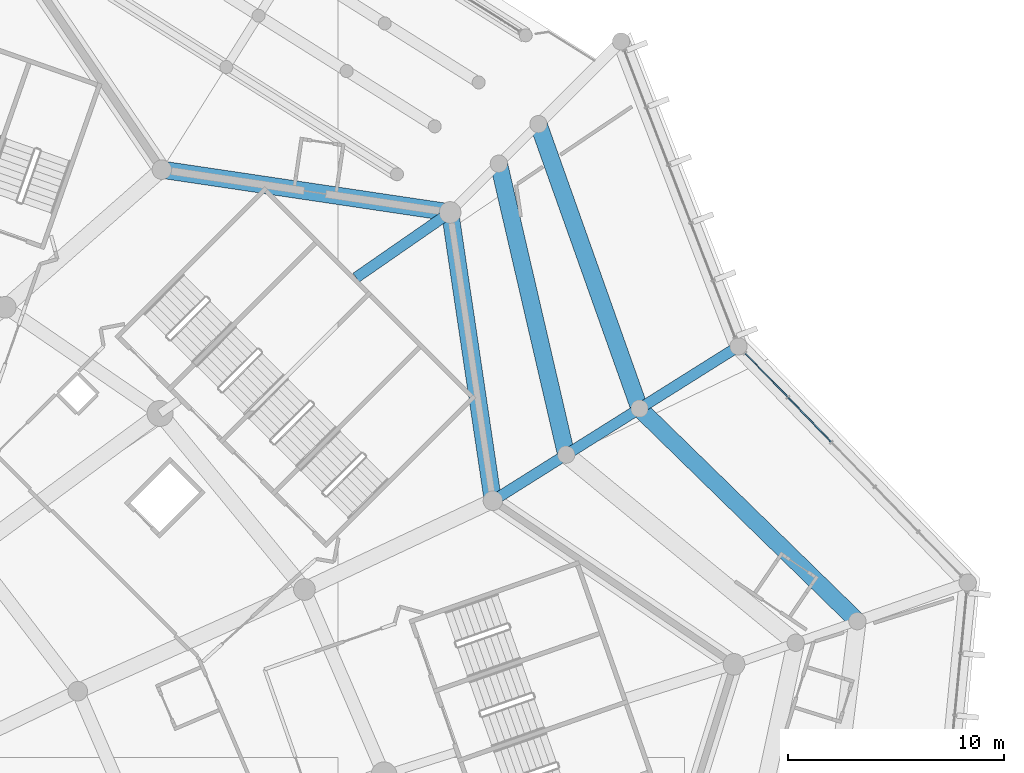
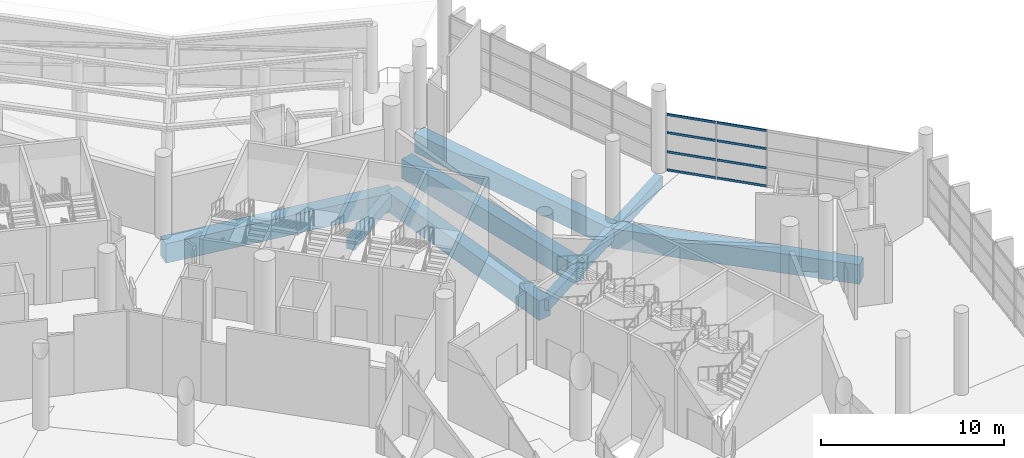
# One storey, part 110 of 271: 9 beams, 8 members, 1 element without a shape of its own.
"""IFC4 building model written with IfcOpenShell, lengths in metres."""

from ifc_helpers import new_model, si_unit, direction, frame, origin, origin_2d, place, context, subcontext, project, spatial, rectangle, extrude, material, layer, layer_set, material_profile, profile_set, type_object, element, aggregate, save


model = new_model("IFC4")

# Units and contexts
model_context = context("Model", 3, precision=1e-05, world=origin(), true_north=direction((0.0, 1.0)))
body_context = subcontext(model_context, "Body", "Model", "MODEL_VIEW")
ifc_project = project(units=[si_unit("LENGTHUNIT", "METRE"), si_unit("AREAUNIT", "SQUARE_METRE"), si_unit("VOLUMEUNIT", "CUBIC_METRE"), si_unit("PLANEANGLEUNIT", "RADIAN"), si_unit("MASSUNIT", "GRAM", prefix="KILO")], contexts=[model_context])

# Site, building, storey
site_placement = place(None, origin())
site = spatial("IfcSite", under=ifc_project, at=site_placement, CompositionType="ELEMENT")
building_placement = place(site_placement, origin())
building = spatial("IfcBuilding", under=site, at=building_placement, Name="Meseta Stadium", CompositionType="ELEMENT")
storey_placement = place(building_placement, frame((0.0, 0.0, 6.5)))
storey = spatial("IfcBuildingStorey", under=building, at=storey_placement, Name="L01", CompositionType="ELEMENT", Elevation=6.5)

# Beams
ifc_material_1 = material(Name="Concrete C40/50", Category="concrete")
ifc_material_profile_1 = material_profile(ifc_material_1, rectangle(XDim=0.5, YDim=0.75, at=origin_2d()), Name="RC 500x750")
ifc_profile_set_1 = profile_set([ifc_material_profile_1], Name="Concrete C40/50")
beam_type_1 = type_object("IfcBeamType", Name="RC beam 500x750", PredefinedType="BEAM", material=ifc_profile_set_1)
beam_1_placement = place(storey_placement, frame((80.830078125, 86.16357421875, -0.72509765625), z_axis=(0.821929323184, 0.569589490503, 0.0), x_axis=(-0.569589490503, 0.821929323184, 0.0)))
element("IfcBeam", 1, at=beam_1_placement, inside=storey, type_object=beam_type_1, Name="L01 radial beam frame 12 line P to R", PredefinedType="BEAM", context=body_context, shape_type="SweptSolid", body=[
    extrude(rectangle(XDim=0.5, YDim=0.75, at=origin_2d()), origin(), (0.0, 0.0, 1.0), 5.284423828125),
])
beam_2_placement = place(storey_placement, frame((87.15087890625, 75.856689453125, -0.72509765625), z_axis=(0.846706472046, 0.532060288122, 0.0), x_axis=(-0.532060288122, 0.846706472046, 0.0)))
element("IfcBeam", 2, at=beam_2_placement, inside=storey, type_object=beam_type_1, Name="L01 radial beam frame 11 line R to M", PredefinedType="BEAM", context=body_context, shape_type="SweptSolid", body=[
    extrude(rectangle(XDim=0.5, YDim=0.75, at=origin_2d()), origin(), (0.0, 0.0, 1.0), 3.999755859375),
])
beam_3_placement = place(storey_placement, frame((90.53759765625, 77.98486328125, -0.72509765625), z_axis=(0.846723749582, 0.532032792122, 0.0), x_axis=(-0.532032792122, 0.846723749582, 0.0)))
element("IfcBeam", 3, at=beam_3_placement, inside=storey, type_object=beam_type_1, Name="L01 radial beam frame 11 line M to Q", PredefinedType="BEAM", context=body_context, shape_type="SweptSolid", body=[
    extrude(rectangle(XDim=0.5, YDim=0.75, at=origin_2d()), origin(), (0.0, 0.0, 1.0), 4.0),
])
beam_4_placement = place(storey_placement, frame((93.924560546875, 80.113037109375, -0.72509765625), z_axis=(0.846715692546, 0.532045614582, 0.0), x_axis=(-0.532045614582, 0.846715692546, 0.0)))
element("IfcBeam", 4, at=beam_4_placement, inside=storey, type_object=beam_type_1, Name="L01 radial beam frame 11 line Q to O", PredefinedType="BEAM", context=body_context, shape_type="SweptSolid", body=[
    extrude(rectangle(XDim=0.5, YDim=0.75, at=origin_2d()), origin(), (0.0, 0.0, 1.0), 5.39990234375),
])
ifc_material_2 = material(Name="Concrete C40/50", Category="concrete")
ifc_material_profile_2 = material_profile(ifc_material_2, rectangle(XDim=0.800048828125, YDim=1.300048828125, at=origin_2d()), Name="RC 800x1300")
ifc_profile_set_2 = profile_set([ifc_material_profile_2], Name="Concrete C40/50")
beam_type_2 = type_object("IfcBeamType", Name="RC beam 800x1300", PredefinedType="BEAM", material=ifc_profile_set_2)
for number, where, z_axis, x_axis, name in (
    (5, (87.15087890625, 75.856689453125, -1.0), (-0.146870032835, 0.989155798373, 0.0), (-0.989155798373, -0.146870032835, 0.0), "L01 ring beam frame 11 line R"),
    (6, (85.173583984375, 89.173583984375, -1.0), (-0.989155798373, 0.146870032835, 0.0), (-0.146870032835, -0.989155798373, 0.0), "L01 ring beam frame 12 line R"),
):
    element("IfcBeam", number, at=place(storey_placement, frame(where, z_axis=z_axis, x_axis=x_axis)), inside=storey, type_object=beam_type_2, Name=name, PredefinedType="BEAM", context=body_context, shape_type="SweptSolid", body=[
        extrude(rectangle(XDim=0.800048828125, YDim=1.300048828125, at=origin_2d()), origin(), (0.0, 0.0, 1.0), 13.462890625),
    ])
beam_5_placement = place(storey_placement, frame((103.989990234375, 70.29150390625, -1.0), z_axis=(-0.715725013536, 0.698382205529, 0.0), x_axis=(-0.698382205529, -0.715725013536, 0.0)))
element("IfcBeam", 7, at=beam_5_placement, inside=storey, type_object=beam_type_2, Name="L01 ring beam frame 10 line Q", PredefinedType="BEAM", context=body_context, shape_type="SweptSolid", body=[
    extrude(rectangle(XDim=0.800048828125, YDim=1.300048828125, at=origin_2d()), origin(), (0.0, 0.0, 1.0), 14.063232421875),
])
beam_6_placement = place(storey_placement, frame((90.53759765625, 77.98486328125, -1.0), z_axis=(-0.225490125016, 0.974245453426, 0.0), x_axis=(-0.974245453426, -0.225490125016, 0.0)))
element("IfcBeam", 8, at=beam_6_placement, inside=storey, type_object=beam_type_2, Name="L01 ring beam frame 11 line M", PredefinedType="BEAM", context=body_context, shape_type="SweptSolid", body=[
    extrude(rectangle(XDim=0.800048828125, YDim=1.300048828125, at=origin_2d()), origin(), (0.0, 0.0, 1.0), 13.796875),
])
beam_7_placement = place(storey_placement, frame((93.924560546875, 80.113037109375, -1.0), z_axis=(-0.334820067045, 0.942282082343, 0.0), x_axis=(-0.942282082343, -0.334820067045, 0.0)))
element("IfcBeam", 9, at=beam_7_placement, inside=storey, type_object=beam_type_2, Name="L01 ring beam frame 11 line Q", PredefinedType="BEAM", context=body_context, shape_type="SweptSolid", body=[
    extrude(rectangle(XDim=0.800048828125, YDim=1.300048828125, at=origin_2d()), origin(), (0.0, 0.0, 1.0), 13.94677734375),
])

# Curtain wall, members
ifc_material_3 = material(Name="Aluminium", Category="aluminium")
ifc_layer = layer(ifc_material_3, 0.199951171875)
ifc_layer_set = layer_set([ifc_layer], Name="Ring shopfront curtain wall")
curtain_wall_type = type_object("IfcCurtainWallType", Name="Ring shopfront curtain wall", PredefinedType="NOTDEFINED", material=ifc_layer_set)
curtain_wall_placement = place(storey_placement, origin())
curtain_wall = element("IfcCurtainWall", 10, at=curtain_wall_placement, inside=storey, type_object=curtain_wall_type, Name="Ring glazing L01 F10", PredefinedType="NOTDEFINED")
ifc_material_4 = material(Name="Aluminium", Category="aluminium")
ifc_material_profile_3 = material_profile(ifc_material_4, rectangle(XDim=0.06005859375, YDim=0.14990234375, at=origin_2d()), Name="CW 60x150")
ifc_profile_set_3 = profile_set([ifc_material_profile_3], Name="Aluminium")
member_type = type_object("IfcMemberType", Name="Ring CW transom 60x150", PredefinedType="USERDEFINED", material=ifc_profile_set_3)
member_1_placement = place(storey_placement, frame((102.767822265625, 78.585693359375, 0.074951171875), z_axis=(-0.696470134666, 0.717585779902, 0.0), x_axis=(-0.717585779902, -0.696470134666, 0.0)))
member_1 = element("IfcMember", 11, at=member_1_placement, type_object=member_type, Name="CWR1 transom 4.1", ObjectType="TRANSOM", PredefinedType="USERDEFINED", context=body_context, shape_type="SweptSolid", body=[
    extrude(rectangle(XDim=0.06005859375, YDim=0.14990234375, at=origin_2d()), origin(), (0.0, 0.0, 1.0), 2.821044921875),
])
member_2_placement = place(storey_placement, frame((102.767822265625, 78.585693359375, 1.283447265625), z_axis=(-0.696470134666, 0.717585779902, 0.0), x_axis=(-0.717585779902, -0.696470134666, 0.0)))
member_2 = element("IfcMember", 12, at=member_2_placement, type_object=member_type, Name="CWR1 transom 4.2", ObjectType="TRANSOM", PredefinedType="USERDEFINED", context=body_context, shape_type="SweptSolid", body=[
    extrude(rectangle(XDim=0.06005859375, YDim=0.14990234375, at=origin_2d()), origin(), (0.0, 0.0, 1.0), 2.821044921875),
])
member_3_placement = place(storey_placement, frame((102.767822265625, 78.585693359375, 2.566650390625), z_axis=(-0.696470134666, 0.717585779902, 0.0), x_axis=(-0.717585779902, -0.696470134666, 0.0)))
member_3 = element("IfcMember", 13, at=member_3_placement, type_object=member_type, Name="CWR1 transom 4.3", ObjectType="TRANSOM", PredefinedType="USERDEFINED", context=body_context, shape_type="SweptSolid", body=[
    extrude(rectangle(XDim=0.06005859375, YDim=0.14990234375, at=origin_2d()), origin(), (0.0, 0.0, 1.0), 2.821044921875),
])
member_4_placement = place(storey_placement, frame((102.767822265625, 78.585693359375, 3.77490234375), z_axis=(-0.696470134666, 0.717585779902, 0.0), x_axis=(-0.717585779902, -0.696470134666, 0.0)))
member_4 = element("IfcMember", 14, at=member_4_placement, type_object=member_type, Name="CWR1 transom 4.4", ObjectType="TRANSOM", PredefinedType="USERDEFINED", context=body_context, shape_type="SweptSolid", body=[
    extrude(rectangle(XDim=0.06005859375, YDim=0.14990234375, at=origin_2d()), origin(), (0.0, 0.0, 1.0), 2.821044921875),
])
member_5_placement = place(storey_placement, frame((100.76123046875, 80.653076171875, 0.074951171875), z_axis=(-0.696443583041, 0.717611549267, 0.0), x_axis=(-0.717611549267, -0.696443583041, 0.0)))
member_5 = element("IfcMember", 15, at=member_5_placement, type_object=member_type, Name="CWR1 transom 5.1", ObjectType="TRANSOM", PredefinedType="USERDEFINED", context=body_context, shape_type="SweptSolid", body=[
    extrude(rectangle(XDim=0.06005859375, YDim=0.14990234375, at=origin_2d()), origin(), (0.0, 0.0, 1.0), 2.791015625),
])
member_6_placement = place(storey_placement, frame((100.76123046875, 80.653076171875, 1.283447265625), z_axis=(-0.696443583041, 0.717611549267, 0.0), x_axis=(-0.717611549267, -0.696443583041, 0.0)))
member_6 = element("IfcMember", 16, at=member_6_placement, type_object=member_type, Name="CWR1 transom 5.2", ObjectType="TRANSOM", PredefinedType="USERDEFINED", context=body_context, shape_type="SweptSolid", body=[
    extrude(rectangle(XDim=0.06005859375, YDim=0.14990234375, at=origin_2d()), origin(), (0.0, 0.0, 1.0), 2.791015625),
])
member_7_placement = place(storey_placement, frame((100.76123046875, 80.653076171875, 2.566650390625), z_axis=(-0.696443583041, 0.717611549267, 0.0), x_axis=(-0.717611549267, -0.696443583041, 0.0)))
member_7 = element("IfcMember", 17, at=member_7_placement, type_object=member_type, Name="CWR1 transom 5.3", ObjectType="TRANSOM", PredefinedType="USERDEFINED", context=body_context, shape_type="SweptSolid", body=[
    extrude(rectangle(XDim=0.06005859375, YDim=0.14990234375, at=origin_2d()), origin(), (0.0, 0.0, 1.0), 2.791015625),
])
member_8_placement = place(storey_placement, frame((100.76123046875, 80.653076171875, 3.77490234375), z_axis=(-0.696443583041, 0.717611549267, 0.0), x_axis=(-0.717611549267, -0.696443583041, 0.0)))
member_8 = element("IfcMember", 18, at=member_8_placement, type_object=member_type, Name="CWR1 transom 5.4", ObjectType="TRANSOM", PredefinedType="USERDEFINED", context=body_context, shape_type="SweptSolid", body=[
    extrude(rectangle(XDim=0.06005859375, YDim=0.14990234375, at=origin_2d()), origin(), (0.0, 0.0, 1.0), 2.791015625),
])
aggregate(curtain_wall, [member_1, member_2, member_3, member_4, member_5, member_6, member_7, member_8])

save(model, "model.ifc")
